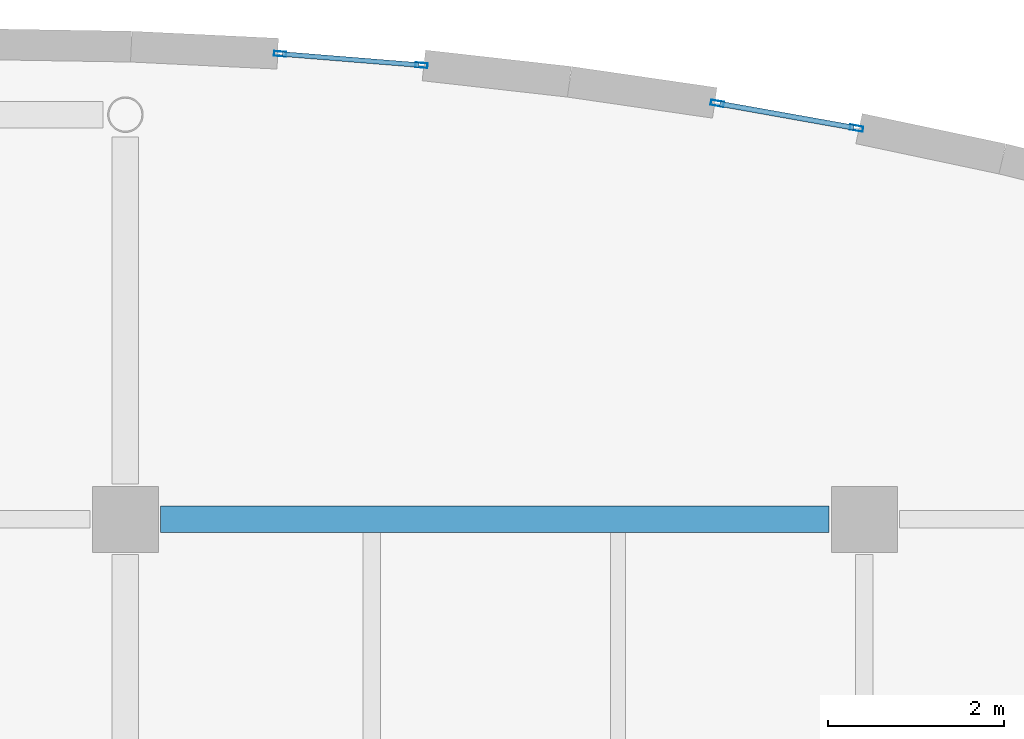
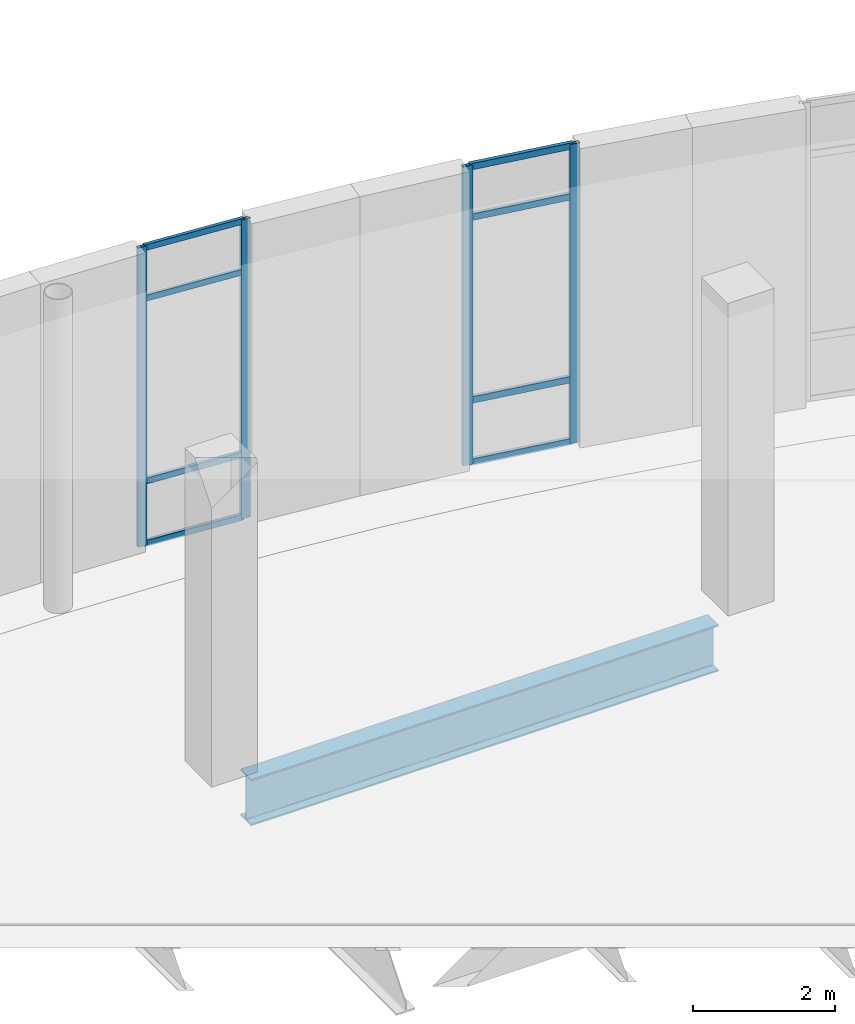
# One storey, part 34 of 110: 12 members, 1 beam, 2 elements without a shape of their own.
"""IFC4 building model written with IfcOpenShell, lengths in metres."""

from ifc_helpers import new_model, si_unit, direction, frame, origin, origin_2d, place, context, subcontext, project, spatial, hollow_rectangle, i_section, extrude, material, layer, layer_set, material_profile, profile_set, type_object, element, aggregate, save


model = new_model("IFC4")

# Units and contexts
model_context = context("Model", 3, precision=1e-05, world=origin(), true_north=direction((0.0, 1.0)))
body_context = subcontext(model_context, "Body", "Model", "MODEL_VIEW")
ifc_project = project(units=[si_unit("LENGTHUNIT", "METRE"), si_unit("AREAUNIT", "SQUARE_METRE"), si_unit("VOLUMEUNIT", "CUBIC_METRE"), si_unit("PLANEANGLEUNIT", "RADIAN"), si_unit("MASSUNIT", "GRAM", prefix="KILO"), si_unit("THERMODYNAMICTEMPERATUREUNIT", "KELVIN")], contexts=[model_context])

# Site, building, storey
site_placement = place(None, origin())
site = spatial("IfcSite", under=ifc_project, at=site_placement, CompositionType="ELEMENT")
building_placement = place(site_placement, origin())
building = spatial("IfcBuilding", under=site, at=building_placement, Name="Lustrewick Department Store", CompositionType="ELEMENT")
storey_placement = place(building_placement, frame((0.0, 0.0, 6.0)))
storey = spatial("IfcBuildingStorey", under=building, at=storey_placement, Name="L02", CompositionType="ELEMENT", Elevation=6.0)

# Curtain wall, members
ifc_material_1 = material(Name="Thermally broken aluminium 6063-T5", Category="aluminium")
ifc_layer_1 = layer(ifc_material_1, 0.14990234375, Name="Thermally broken aluminium 6063-T5")
ifc_layer_set_1 = layer_set([ifc_layer_1], Name="Thermally broken aluminium 6063-T5")
curtain_wall_type_1 = type_object("IfcCurtainWallType", Name="CW05", PredefinedType="NOTDEFINED", material=ifc_layer_set_1)
curtain_wall_1_placement = place(storey_placement, origin())
curtain_wall_1 = element("IfcCurtainWall", 1, at=curtain_wall_1_placement, inside=storey, type_object=curtain_wall_type_1, Name="L02 V4 Curtain Wall CW05", PredefinedType="NOTDEFINED")
ifc_material_profile_1 = material_profile(ifc_material_1, hollow_rectangle(XDim=0.06005859375, YDim=0.14990234375, WallThickness=0.00341796875, at=origin_2d()), Name="ALU-M 60x150x3.5")
ifc_profile_set_1 = profile_set([ifc_material_profile_1], Name="Thermally broken aluminium 6063-T5")
member_type_1 = type_object("IfcMemberType", Name="CW05-M1", PredefinedType="MULLION", material=ifc_profile_set_1)
member_1_placement = place(storey_placement, frame((125.91064453125, 110.646484375, 0.0), z_axis=(0.0, 0.0, 1.0), x_axis=(-0.175421024539, -0.984493506403, 0.0)))
member_1 = element("IfcMember", 2, at=member_1_placement, type_object=member_type_1, Name="CW05 mullion 1", PredefinedType="MULLION", context=body_context, shape_type="SweptSolid", body=[
    extrude(hollow_rectangle(XDim=0.06005859375, YDim=0.14990234375, WallThickness=0.00341796875, at=origin_2d()), origin(), (0.0, 0.0, 1.0), 5.14501953125),
])
member_2_placement = place(storey_placement, frame((124.32861328125, 110.92822265625, 0.0), z_axis=(0.0, 0.0, 1.0), x_axis=(-0.175421024539, -0.984493506403, 0.0)))
member_2 = element("IfcMember", 3, at=member_2_placement, type_object=member_type_1, Name="CW05 mullion 2", PredefinedType="MULLION", context=body_context, shape_type="SweptSolid", body=[
    extrude(hollow_rectangle(XDim=0.06005859375, YDim=0.14990234375, WallThickness=0.00341796875, at=origin_2d()), origin(), (0.0, 0.0, 1.0), 5.14501953125),
])
ifc_material_profile_2 = material_profile(ifc_material_1, hollow_rectangle(XDim=0.06005859375, YDim=0.110107421875, WallThickness=0.0029296875, at=origin_2d()), Name="ALU-T 60x110x3")
ifc_profile_set_2 = profile_set([ifc_material_profile_2], Name="Thermally broken aluminium 6063-T5")
member_type_2 = type_object("IfcMemberType", Name="CW05-T1", PredefinedType="USERDEFINED", material=ifc_profile_set_2)
member_3_placement = place(storey_placement, frame((125.881103515625, 110.651611328125, 0.030029296875), z_axis=(-0.984480202962, 0.175495669396, 0.0), x_axis=(-0.175495669396, -0.984480202962, 0.0)))
member_3 = element("IfcMember", 4, at=member_3_placement, type_object=member_type_2, Name="CW05 transom 1.1", ObjectType="TRANSOM", PredefinedType="USERDEFINED", context=body_context, shape_type="SweptSolid", body=[
    extrude(hollow_rectangle(XDim=0.06005859375, YDim=0.110107421875, WallThickness=0.0029296875, at=origin_2d()), origin(), (0.0, 0.0, 1.0), 1.546875),
])
member_4_placement = place(storey_placement, frame((125.881103515625, 110.651611328125, 1.10009765625), z_axis=(-0.984480202962, 0.175495669396, 0.0), x_axis=(-0.175495669396, -0.984480202962, 0.0)))
member_4 = element("IfcMember", 5, at=member_4_placement, type_object=member_type_2, Name="CW05 transom 1.2", ObjectType="TRANSOM", PredefinedType="USERDEFINED", context=body_context, shape_type="SweptSolid", body=[
    extrude(hollow_rectangle(XDim=0.06005859375, YDim=0.110107421875, WallThickness=0.0029296875, at=origin_2d()), origin(), (0.0, 0.0, 1.0), 1.546875),
])
member_5_placement = place(storey_placement, frame((125.881103515625, 110.651611328125, 4.2451171875), z_axis=(-0.984480202962, 0.175495669396, 0.0), x_axis=(-0.175495669396, -0.984480202962, 0.0)))
member_5 = element("IfcMember", 6, at=member_5_placement, type_object=member_type_2, Name="CW05 transom 1.3", ObjectType="TRANSOM", PredefinedType="USERDEFINED", context=body_context, shape_type="SweptSolid", body=[
    extrude(hollow_rectangle(XDim=0.06005859375, YDim=0.110107421875, WallThickness=0.0029296875, at=origin_2d()), origin(), (0.0, 0.0, 1.0), 1.546875),
])
member_6_placement = place(storey_placement, frame((125.881103515625, 110.651611328125, 5.114990234375), z_axis=(-0.984480202962, 0.175495669396, 0.0), x_axis=(-0.175495669396, -0.984480202962, 0.0)))
member_6 = element("IfcMember", 7, at=member_6_placement, type_object=member_type_2, Name="CW05 transom 1.4", ObjectType="TRANSOM", PredefinedType="USERDEFINED", context=body_context, shape_type="SweptSolid", body=[
    extrude(hollow_rectangle(XDim=0.06005859375, YDim=0.110107421875, WallThickness=0.0029296875, at=origin_2d()), origin(), (0.0, 0.0, 1.0), 1.546875),
])
aggregate(curtain_wall_1, [member_1, member_2, member_3, member_4, member_5, member_6])

ifc_layer_2 = layer(ifc_material_1, 0.139892578125, Name="Thermally broken aluminium 6063-T5")
ifc_layer_set_2 = layer_set([ifc_layer_2], Name="Thermally broken aluminium 6063-T5")
curtain_wall_type_2 = type_object("IfcCurtainWallType", Name="CW06", PredefinedType="NOTDEFINED", material=ifc_layer_set_2)
curtain_wall_2_placement = place(storey_placement, origin())
curtain_wall_2 = element("IfcCurtainWall", 8, at=curtain_wall_2_placement, inside=storey, type_object=curtain_wall_type_2, Name="L02 V4 Curtain Wall CW06", PredefinedType="NOTDEFINED")
ifc_material_profile_3 = material_profile(ifc_material_1, hollow_rectangle(XDim=0.054931640625, YDim=0.139892578125, WallThickness=0.00341796875, at=origin_2d()), Name="ALU-M 55x140x3.5")
ifc_profile_set_3 = profile_set([ifc_material_profile_3], Name="Thermally broken aluminium 6063-T5")
member_type_3 = type_object("IfcMemberType", Name="CW06-M1", PredefinedType="MULLION", material=ifc_profile_set_3)
member_7_placement = place(storey_placement, frame((120.9658203125, 111.36181640625, 0.0), z_axis=(0.0, 0.0, 1.0), x_axis=(-0.08009096545, -0.996787558737, 0.0)))
member_7 = element("IfcMember", 9, at=member_7_placement, type_object=member_type_3, Name="CW06 mullion 1", PredefinedType="MULLION", context=body_context, shape_type="SweptSolid", body=[
    extrude(hollow_rectangle(XDim=0.054931640625, YDim=0.139892578125, WallThickness=0.00341796875, at=origin_2d()), origin(), (0.0, 0.0, 1.0), 5.14501953125),
])
member_8_placement = place(storey_placement, frame((119.359130859375, 111.490966796875, 0.0), z_axis=(0.0, 0.0, 1.0), x_axis=(-0.08009096545, -0.996787558737, 0.0)))
member_8 = element("IfcMember", 10, at=member_8_placement, type_object=member_type_3, Name="CW06 mullion 2", PredefinedType="MULLION", context=body_context, shape_type="SweptSolid", body=[
    extrude(hollow_rectangle(XDim=0.054931640625, YDim=0.139892578125, WallThickness=0.00341796875, at=origin_2d()), origin(), (0.0, 0.0, 1.0), 5.14501953125),
])
ifc_material_profile_4 = material_profile(ifc_material_1, hollow_rectangle(XDim=0.054931640625, YDim=0.10009765625, WallThickness=0.0029296875, at=origin_2d()), Name="ALU-T 55x100x3")
ifc_profile_set_4 = profile_set([ifc_material_profile_4], Name="Thermally broken aluminium 6063-T5")
member_type_4 = type_object("IfcMemberType", Name="CW06-T1", PredefinedType="USERDEFINED", material=ifc_profile_set_4)
member_9_placement = place(storey_placement, frame((120.9384765625, 111.364013671875, 0.027587890625), z_axis=(-0.996784793106, 0.080125378209, 0.0), x_axis=(-0.080125378209, -0.996784793106, 0.0)))
member_9 = element("IfcMember", 11, at=member_9_placement, type_object=member_type_4, Name="CW06 transom 1.1", ObjectType="TRANSOM", PredefinedType="USERDEFINED", context=body_context, shape_type="SweptSolid", body=[
    extrude(hollow_rectangle(XDim=0.054931640625, YDim=0.10009765625, WallThickness=0.0029296875, at=origin_2d()), origin(), (0.0, 0.0, 1.0), 1.55712890625),
])
member_10_placement = place(storey_placement, frame((120.9384765625, 111.364013671875, 1.10009765625), z_axis=(-0.996784793106, 0.080125378209, 0.0), x_axis=(-0.080125378209, -0.996784793106, 0.0)))
member_10 = element("IfcMember", 12, at=member_10_placement, type_object=member_type_4, Name="CW06 transom 1.2", ObjectType="TRANSOM", PredefinedType="USERDEFINED", context=body_context, shape_type="SweptSolid", body=[
    extrude(hollow_rectangle(XDim=0.054931640625, YDim=0.10009765625, WallThickness=0.0029296875, at=origin_2d()), origin(), (0.0, 0.0, 1.0), 1.55712890625),
])
member_11_placement = place(storey_placement, frame((120.9384765625, 111.364013671875, 4.2451171875), z_axis=(-0.996784793106, 0.080125378209, 0.0), x_axis=(-0.080125378209, -0.996784793106, 0.0)))
member_11 = element("IfcMember", 13, at=member_11_placement, type_object=member_type_4, Name="CW06 transom 1.3", ObjectType="TRANSOM", PredefinedType="USERDEFINED", context=body_context, shape_type="SweptSolid", body=[
    extrude(hollow_rectangle(XDim=0.054931640625, YDim=0.10009765625, WallThickness=0.0029296875, at=origin_2d()), origin(), (0.0, 0.0, 1.0), 1.55712890625),
])
member_12_placement = place(storey_placement, frame((120.9384765625, 111.364013671875, 5.117431640625), z_axis=(-0.996784793106, 0.080125378209, 0.0), x_axis=(-0.080125378209, -0.996784793106, 0.0)))
member_12 = element("IfcMember", 14, at=member_12_placement, type_object=member_type_4, Name="CW06 transom 1.4", ObjectType="TRANSOM", PredefinedType="USERDEFINED", context=body_context, shape_type="SweptSolid", body=[
    extrude(hollow_rectangle(XDim=0.054931640625, YDim=0.10009765625, WallThickness=0.0029296875, at=origin_2d()), origin(), (0.0, 0.0, 1.0), 1.55712890625),
])
aggregate(curtain_wall_2, [member_7, member_8, member_9, member_10, member_11, member_12])

# Beam
ifc_material_2 = material(Name="Structural steel Q355B", Category="steel")
ifc_material_profile_5 = material_profile(ifc_material_2, i_section(OverallWidth=0.300048828125, OverallDepth=0.800048828125, WebThickness=0.013916015625, FlangeThickness=0.02587890625, FilletRadius=0.02197265625, at=origin_2d()), Name="HN 800x300x14x26")
ifc_profile_set_5 = profile_set([ifc_material_profile_5], Name="Structural steel Q355B")
beam_type = type_object("IfcBeamType", Name="G05", PredefinedType="BEAM", material=ifc_profile_set_5)
beam_placement = place(storey_placement, frame((118.0, 106.199951171875, -0.655029296875), z_axis=(1.0, 0.0, 0.0), x_axis=(0.0, 1.0, 0.0)))
element("IfcBeam", 15, at=beam_placement, inside=storey, type_object=beam_type, Name="L02 V4 Girder G05", PredefinedType="BEAM", context=body_context, shape_type="SweptSolid", body=[
    extrude(i_section(OverallWidth=0.300048828125, OverallDepth=0.800048828125, WebThickness=0.013916015625, FlangeThickness=0.02587890625, FilletRadius=0.02197265625, at=origin_2d()), origin(), (0.0, 0.0, 1.0), 7.60009765625),
])

save(model, "model.ifc")
